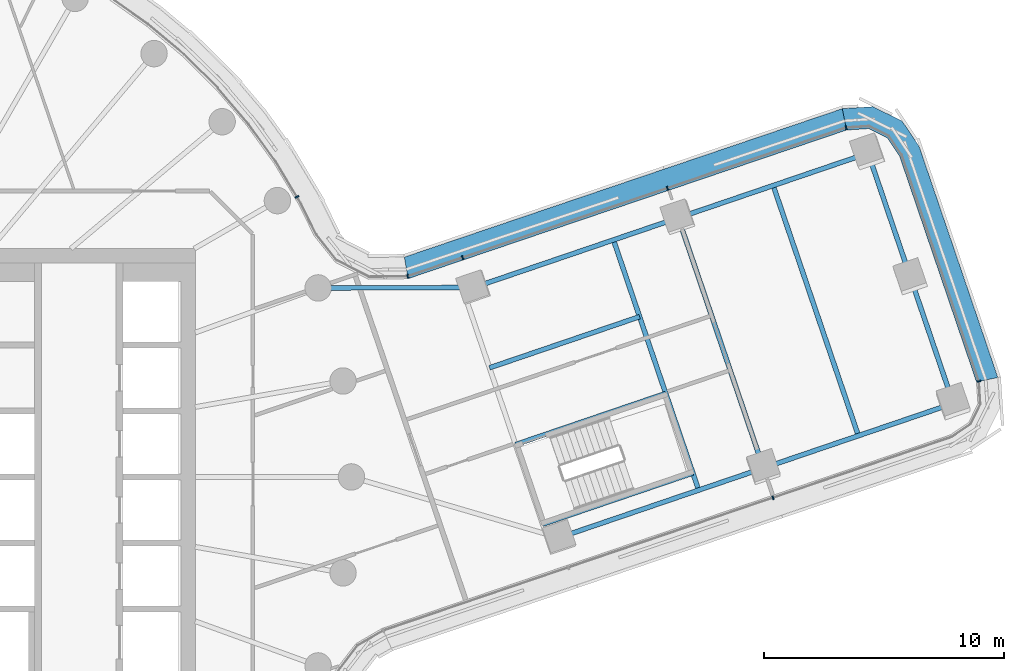
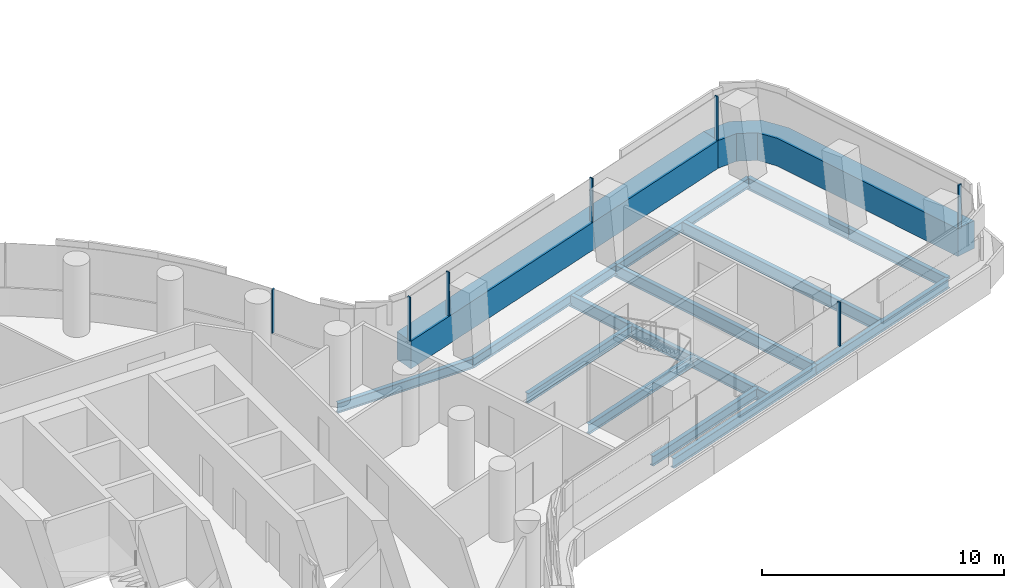
# One storey, part 11 of 29: 13 beams, 9 members, 4 elements without a shape of their own.
"""IFC4 building model written with IfcOpenShell, lengths in metres."""

from ifc_helpers import new_model, si_unit, direction, frame, origin, origin_2d, place, context, subcontext, project, spatial, polyline, rectangle, i_section, outline, extrude, material, layer, layer_set, material_profile, profile_set, type_object, element, aggregate, save


model = new_model("IFC4")

# Units and contexts
model_context = context("Model", 3, precision=1e-05, world=origin(), true_north=direction((0.0, 1.0)))
body_context = subcontext(model_context, "Body", "Model", "MODEL_VIEW")
ifc_project = project(units=[si_unit("LENGTHUNIT", "METRE"), si_unit("AREAUNIT", "SQUARE_METRE"), si_unit("VOLUMEUNIT", "CUBIC_METRE"), si_unit("PLANEANGLEUNIT", "RADIAN"), si_unit("MASSUNIT", "GRAM", prefix="KILO")], contexts=[model_context])

# Site, building, storey
site_placement = place(None, origin())
site = spatial("IfcSite", under=ifc_project, at=site_placement, CompositionType="ELEMENT")
building_placement = place(site_placement, origin())
building = spatial("IfcBuilding", under=site, at=building_placement, Name="Tamarind Cross Interchange Tower", CompositionType="ELEMENT")
storey_placement = place(building_placement, frame((0.0, 0.0, 102.25)))
storey = spatial("IfcBuildingStorey", under=building, at=storey_placement, Name="L24", CompositionType="ELEMENT", Elevation=102.25)

# Beams
ifc_material_1 = material(Name="Steel Q355B", Category="steel")
ifc_material_profile_1 = material_profile(ifc_material_1, i_section(OverallWidth=0.198974609375, OverallDepth=0.49609375, WebThickness=0.009033203125, FlangeThickness=0.013916015625, FilletRadius=0.012939453125, at=origin_2d()), Name="HN 496x199x9x14")
ifc_profile_set_1 = profile_set([ifc_material_profile_1], Name="Steel Q355B")
beam_type_1 = type_object("IfcBeamType", Name="Composite beam HN 496x199x9x14 Q355B", PredefinedType="BEAM", material=ifc_profile_set_1)
beam_1_placement = place(storey_placement, frame((48.05126953125, 3.061767578125, -0.387939453125), z_axis=(-0.946607184119, -0.322389266222, 0.0), x_axis=(0.322389266222, -0.946607184119, 0.0)))
element("IfcBeam", 1, at=beam_1_placement, inside=storey, type_object=beam_type_1, Name="Beam E-edgeem5", PredefinedType="BEAM", context=body_context, shape_type="SweptSolid", body=[
    extrude(i_section(OverallWidth=0.198974609375, OverallDepth=0.49609375, WebThickness=0.009033203125, FlangeThickness=0.013916015625, FilletRadius=0.012939453125, at=origin_2d()), origin(), (0.0, 0.0, 1.0), 8.34765625),
])
beam_2_placement = place(storey_placement, frame((40.1494140625, 0.37060546875, -0.387939453125), z_axis=(-0.946612571629, -0.322373446849, 0.0), x_axis=(0.322373446849, -0.946612571629, 0.0)))
element("IfcBeam", 2, at=beam_2_placement, inside=storey, type_object=beam_type_1, Name="Beam E-edgeem6", PredefinedType="BEAM", context=body_context, shape_type="SweptSolid", body=[
    extrude(i_section(OverallWidth=0.198974609375, OverallDepth=0.49609375, WebThickness=0.009033203125, FlangeThickness=0.013916015625, FilletRadius=0.012939453125, at=origin_2d()), origin(), (0.0, 0.0, 1.0), 9.0),
])
beam_3_placement = place(storey_placement, frame((44.505126953125, 13.474365234375, -0.387939453125), z_axis=(-0.946616109311, -0.322363058667, 0.0), x_axis=(0.322363058667, -0.946616109311, 0.0)))
element("IfcBeam", 3, at=beam_3_placement, inside=storey, type_object=beam_type_1, Name="Beam E-edgeep2", PredefinedType="BEAM", context=body_context, shape_type="SweptSolid", body=[
    extrude(i_section(OverallWidth=0.198974609375, OverallDepth=0.49609375, WebThickness=0.009033203125, FlangeThickness=0.013916015625, FilletRadius=0.012939453125, at=origin_2d()), origin(), (0.0, 0.0, 1.0), 8.347412109375),
])
beam_4_placement = place(storey_placement, frame((36.603271484375, 10.783447265625, -0.387939453125), z_axis=(-0.946612571629, -0.322373446849, 0.0), x_axis=(0.322373446849, -0.946612571629, 0.0)))
element("IfcBeam", 4, at=beam_4_placement, inside=storey, type_object=beam_type_1, Name="Beam E-edgeep3", PredefinedType="BEAM", context=body_context, shape_type="SweptSolid", body=[
    extrude(i_section(OverallWidth=0.198974609375, OverallDepth=0.49609375, WebThickness=0.009033203125, FlangeThickness=0.013916015625, FilletRadius=0.012939453125, at=origin_2d()), origin(), (0.0, 0.0, 1.0), 9.0),
])
beam_5_placement = place(storey_placement, frame((28.083740234375, 7.882080078125, -0.387939453125), z_axis=(-0.999997084553, -0.002414722812, 0.0), x_axis=(0.002414722812, -0.999997084553, 0.0)))
element("IfcBeam", 5, at=beam_5_placement, inside=storey, type_object=beam_type_1, Name="Beam E-linkep", PredefinedType="BEAM", context=body_context, shape_type="SweptSolid", body=[
    extrude(i_section(OverallWidth=0.198974609375, OverallDepth=0.49609375, WebThickness=0.009033203125, FlangeThickness=0.013916015625, FilletRadius=0.012939453125, at=origin_2d()), origin(), (0.0, 0.0, 1.0), 6.470703125),
])
for number, where, z_axis, x_axis, name in (
    (6, (30.962158203125, -1.9658203125, -0.387939453125), (0.946610281318, 0.322380172008, 0.0), (-0.322380172008, 0.946610281318, 0.0), "Beam E-tr0"),
    (7, (29.833984375, 1.347412109375, -0.387939453125), (0.946610281318, 0.322380172008, 0.0), (-0.322380172008, 0.946610281318, 0.0), "Beam E-tr1"),
    (8, (28.745849609375, 4.542236328125, -0.387939453125), (0.946610281318, 0.322380172008, 0.0), (-0.322380172008, 0.946610281318, 0.0), "Beam E-stripp"),
):
    element("IfcBeam", number, at=place(storey_placement, frame(where, z_axis=z_axis, x_axis=x_axis)), inside=storey, type_object=beam_type_1, Name=name, PredefinedType="BEAM", context=body_context, shape_type="SweptSolid", body=[
        extrude(i_section(OverallWidth=0.198974609375, OverallDepth=0.49609375, WebThickness=0.009033203125, FlangeThickness=0.013916015625, FilletRadius=0.012939453125, at=origin_2d()), origin(), (0.0, 0.0, 1.0), 6.599853515625),
    ])
ifc_material_profile_2 = material_profile(ifc_material_1, i_section(OverallWidth=0.199951171875, OverallDepth=0.60009765625, WebThickness=0.010986328125, FlangeThickness=0.01708984375, FilletRadius=0.012939453125, at=origin_2d()), Name="HN 600x200x11x17")
ifc_profile_set_2 = profile_set([ifc_material_profile_2], Name="Steel Q355B")
beam_type_2 = type_object("IfcBeamType", Name="Composite beam HN 600x200x11x17 Q355B", PredefinedType="BEAM", material=ifc_profile_set_2)
for number, where, z_axis, x_axis, name in (
    (9, (48.05126953125, 3.061767578125, -0.43994140625), (-0.322360283634, 0.946617054323, 0.0), (-0.946617054323, -0.322360283634, 0.0), "Beam E-tip0"),
    (10, (46.2783203125, 8.26806640625, -0.43994140625), (-0.322400059955, 0.946603507991, 0.0), (-0.946603507991, -0.322400059955, 0.0), "Beam E-tip1"),
):
    element("IfcBeam", number, at=place(storey_placement, frame(where, z_axis=z_axis, x_axis=x_axis)), inside=storey, type_object=beam_type_2, Name=name, PredefinedType="BEAM", context=body_context, shape_type="SweptSolid", body=[
        extrude(i_section(OverallWidth=0.199951171875, OverallDepth=0.60009765625, WebThickness=0.010986328125, FlangeThickness=0.01708984375, FilletRadius=0.012939453125, at=origin_2d()), origin(), (0.0, 0.0, 1.0), 5.5),
    ])
for number, where, z_axis, x_axis, name in (
    (11, (37.45166015625, -0.548095703125, -0.43994140625), (-0.322373398976, 0.946612587933, 0.0), (-0.946612587933, -0.322373398976, 0.0), "Beam E-x364"),
    (12, (40.1494140625, 0.37060546875, -0.43994140625), (-0.322373398976, 0.946612587933, 0.0), (-0.946612587933, -0.322373398976, 0.0), "Beam E-x393"),
    (13, (44.100341796875, 1.716064453125, -0.43994140625), (-0.322373398976, 0.946612587933, 0.0), (-0.946612587933, -0.322373398976, 0.0), "Beam E-x435"),
):
    element("IfcBeam", number, at=place(storey_placement, frame(where, z_axis=z_axis, x_axis=x_axis)), inside=storey, type_object=beam_type_2, Name=name, PredefinedType="BEAM", context=body_context, shape_type="SweptSolid", body=[
        extrude(i_section(OverallWidth=0.199951171875, OverallDepth=0.60009765625, WebThickness=0.010986328125, FlangeThickness=0.01708984375, FilletRadius=0.012939453125, at=origin_2d()), origin(), (0.0, 0.0, 1.0), 11.0),
    ])

# Curtain wall, member
ifc_material_2 = material(Name="Aluminium 6063-T6", Category="aluminium")
ifc_layer = layer(ifc_material_2, 0.159912109375)
ifc_layer_set = layer_set([ifc_layer], Name="Aluminium 6063-T6")
curtain_wall_type = type_object("IfcCurtainWallType", Name="Office curtain wall, 9.0 m bays", PredefinedType="NOTDEFINED", material=ifc_layer_set)
curtain_wall_1_placement = place(storey_placement, origin())
curtain_wall_1 = element("IfcCurtainWall", 14, at=curtain_wall_1_placement, inside=storey, type_object=curtain_wall_type, Name="CWS-L24-08", PredefinedType="NOTDEFINED")
ifc_material_3 = material(Name="Aluminium and insulated spandrel panel", Category="aluminium")
member_type_1 = type_object("IfcMemberType", Name="Floor-edge blade transom", PredefinedType="USERDEFINED", material=ifc_material_3)
member_1_placement = place(storey_placement, origin())
member_1 = element("IfcMember", 15, at=member_1_placement, type_object=member_type_1, Name="CWT-L24-08", ObjectType="TRANSOM", PredefinedType="USERDEFINED", context=body_context, shape_type="SweptSolid", body=[
    extrude(outline(polyline([(49.013427734375, 3.959228515625), (45.815185546875, 13.3505859375), (45.305908203125, 14.111083984375), (44.52099609375, 14.4970703125), (43.607421875, 14.4365234375), (43.43017578125, 15.32666015625), (44.701904296875, 15.4111328125), (45.91943359375, 14.812255859375), (46.62890625, 13.7529296875), (49.903564453125, 4.13720703125), (49.013427734375, 3.959228515625)])), origin(), (0.0, 0.0, 1.0), 1.39990234375),
])

curtain_wall_2_placement = place(storey_placement, origin())
curtain_wall_2 = element("IfcCurtainWall", 16, at=curtain_wall_2_placement, inside=storey, type_object=curtain_wall_type, Name="CWS-L24-09", PredefinedType="NOTDEFINED")
member_2_placement = place(storey_placement, origin())
member_2 = element("IfcMember", 17, at=member_2_placement, type_object=member_type_1, Name="CWT-L24-09", ObjectType="TRANSOM", PredefinedType="USERDEFINED", context=body_context, shape_type="SweptSolid", body=[
    extrude(outline(polyline([(43.607421875, 14.4365234375), (25.35595703125, 8.251220703125), (25.201416015625, 9.149169921875), (43.43017578125, 15.32666015625), (43.607421875, 14.4365234375)])), origin(), (0.0, 0.0, 1.0), 1.39990234375),
])

curtain_wall_3_placement = place(storey_placement, origin())
curtain_wall_3 = element("IfcCurtainWall", 18, at=curtain_wall_3_placement, inside=storey, type_object=curtain_wall_type, Name="CWS-L24-07", PredefinedType="NOTDEFINED")
ifc_material_profile_3 = material_profile(ifc_material_2, rectangle(XDim=0.06005859375, YDim=0.159912109375, at=origin_2d()), Name="Mullion CW1")
ifc_profile_set_3 = profile_set([ifc_material_profile_3], Name="Aluminium 6063-T6")
member_type_2 = type_object("IfcMemberType", Name="Mullion CW1", PredefinedType="MULLION", material=ifc_profile_set_3)
member_3_placement = place(storey_placement, frame((40.545654296875, -0.86767578125, 1.39990234375), z_axis=(0.0, 0.0, 1.0), x_axis=(0.946613256786, 0.322371434957, 0.0)))
member_3 = element("IfcMember", 19, at=member_3_placement, type_object=member_type_2, Name="CWM-L24-07-02", PredefinedType="MULLION", context=body_context, shape_type="SweptSolid", body=[
    extrude(rectangle(XDim=0.06005859375, YDim=0.159912109375, at=origin_2d()), origin(), (0.0, 0.0, 1.0), 2.210205078125),
])
aggregate(curtain_wall_3, [member_3])

# Member
member_4_placement = place(storey_placement, frame((49.1123046875, 3.97900390625, 1.39990234375), z_axis=(0.0, 0.0, 1.0), x_axis=(-0.196055678729, 0.980592765035, 0.0)))
member_4 = element("IfcMember", 20, at=member_4_placement, type_object=member_type_2, Name="CWM-L24-08-00", PredefinedType="MULLION", context=body_context, shape_type="SweptSolid", body=[
    extrude(rectangle(XDim=0.06005859375, YDim=0.159912109375, at=origin_2d()), origin(), (0.0, 0.0, 1.0), 2.210205078125),
])

aggregate(curtain_wall_1, [member_4, member_1])

member_5_placement = place(storey_placement, frame((43.587890625, 14.535400390625, 1.39990234375), z_axis=(0.0, 0.0, 1.0), x_axis=(-0.980738691154, -0.195324396001, 0.0)))
member_5 = element("IfcMember", 21, at=member_5_placement, type_object=member_type_2, Name="CWM-L24-09-00", PredefinedType="MULLION", context=body_context, shape_type="SweptSolid", body=[
    extrude(rectangle(XDim=0.06005859375, YDim=0.159912109375, at=origin_2d()), origin(), (0.0, 0.0, 1.0), 2.210205078125),
])

member_6_placement = place(storey_placement, frame((36.1533203125, 12.015869140625, 1.39990234375), z_axis=(0.0, 0.0, 1.0), x_axis=(-0.947092988773, -0.320959297445, 0.0)))
member_6 = element("IfcMember", 22, at=member_6_placement, type_object=member_type_2, Name="CWM-L24-09-01", PredefinedType="MULLION", context=body_context, shape_type="SweptSolid", body=[
    extrude(rectangle(XDim=0.06005859375, YDim=0.159912109375, at=origin_2d()), origin(), (0.0, 0.0, 1.0), 2.210205078125),
])

member_7_placement = place(storey_placement, frame((27.627197265625, 9.12646484375, 1.39990234375), z_axis=(0.0, 0.0, 1.0), x_axis=(-0.947092988773, -0.320959297445, 0.0)))
member_7 = element("IfcMember", 23, at=member_7_placement, type_object=member_type_2, Name="CWM-L24-09-02", PredefinedType="MULLION", context=body_context, shape_type="SweptSolid", body=[
    extrude(rectangle(XDim=0.06005859375, YDim=0.159912109375, at=origin_2d()), origin(), (0.0, 0.0, 1.0), 2.210205078125),
])

aggregate(curtain_wall_2, [member_5, member_6, member_7, member_2])

# Curtain wall, members
curtain_wall_4_placement = place(storey_placement, origin())
curtain_wall_4 = element("IfcCurtainWall", 24, at=curtain_wall_4_placement, inside=storey, type_object=curtain_wall_type, Name="CWS-L24-10", PredefinedType="NOTDEFINED")
member_8_placement = place(storey_placement, frame((25.3388671875, 8.350830078125, 1.39990234375), z_axis=(0.0, 0.0, 1.0), x_axis=(-0.985508143396, -0.169628120607, 0.0)))
member_8 = element("IfcMember", 25, at=member_8_placement, type_object=member_type_2, Name="CWM-L24-10-00", PredefinedType="MULLION", context=body_context, shape_type="SweptSolid", body=[
    extrude(rectangle(XDim=0.06005859375, YDim=0.159912109375, at=origin_2d()), origin(), (0.0, 0.0, 1.0), 2.210205078125),
])
member_9_placement = place(storey_placement, frame((20.73388671875, 11.65625, 1.39990234375), z_axis=(0.0, 0.0, 1.0), x_axis=(-0.515577308909, 0.856843065292, 0.0)))
member_9 = element("IfcMember", 26, at=member_9_placement, type_object=member_type_2, Name="CWM-L24-10-01", PredefinedType="MULLION", context=body_context, shape_type="SweptSolid", body=[
    extrude(rectangle(XDim=0.06005859375, YDim=0.159912109375, at=origin_2d()), origin(), (0.0, 0.0, 1.0), 2.210205078125),
])
aggregate(curtain_wall_4, [member_8, member_9])

save(model, "model.ifc")
